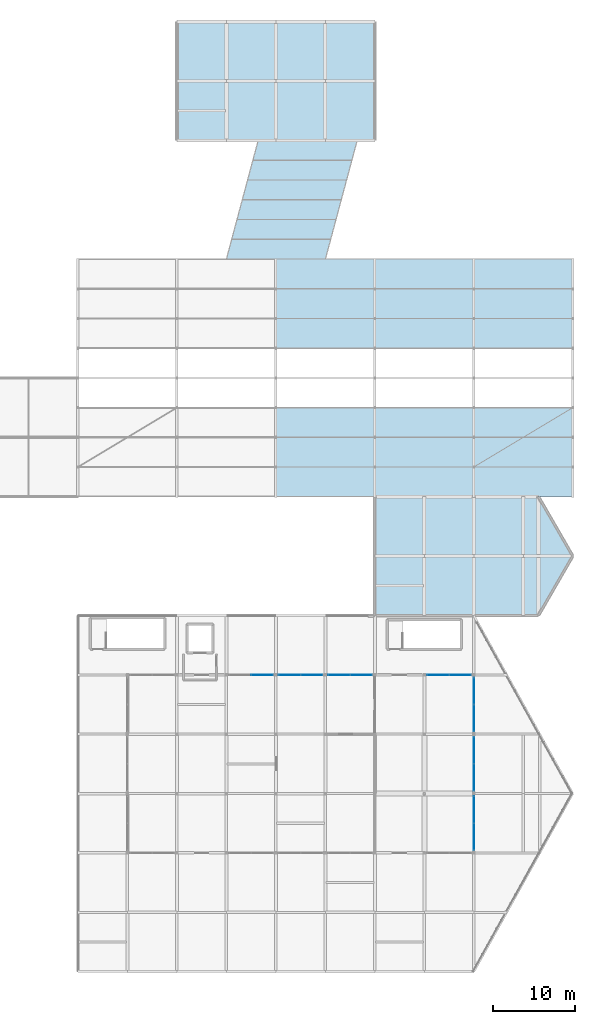
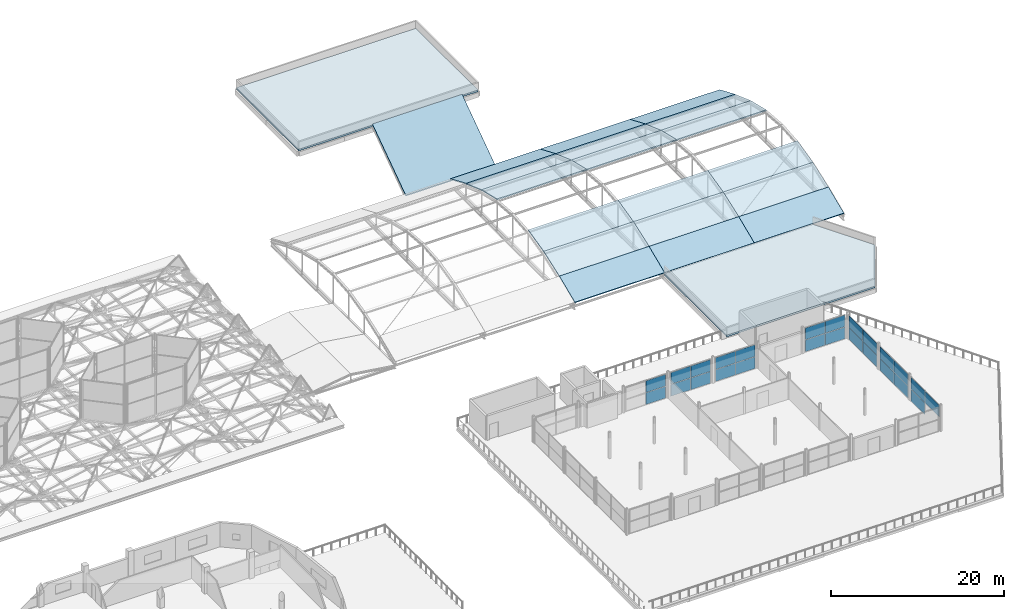
# One storey, part 217 of 239: 25 plates, 21 slabs, 7 elements without a shape of their own.
"""IFC4 building model written with IfcOpenShell, lengths in metres."""

from ifc_helpers import new_model, si_unit, direction, frame, origin, origin_2d, place, context, subcontext, project, spatial, polyline, rectangle, outline, extrude, material, layer, layer_set, type_object, element, aggregate, save


model = new_model("IFC4")

# Units and contexts
model_context = context("Model", 3, precision=1e-05, world=origin(), true_north=direction((0.0, 1.0)))
body_context = subcontext(model_context, "Body", "Model", "MODEL_VIEW")
ifc_project = project(units=[si_unit("LENGTHUNIT", "METRE"), si_unit("AREAUNIT", "SQUARE_METRE"), si_unit("VOLUMEUNIT", "CUBIC_METRE"), si_unit("PLANEANGLEUNIT", "RADIAN"), si_unit("MASSUNIT", "GRAM", prefix="KILO")], contexts=[model_context])

# Site, building, storey
site_placement = place(None, origin())
site = spatial("IfcSite", under=ifc_project, at=site_placement, CompositionType="ELEMENT")
building_placement = place(site_placement, origin())
building = spatial("IfcBuilding", under=site, at=building_placement, Name="Dunvalen Ferry Terminal", CompositionType="ELEMENT")
storey_placement = place(building_placement, frame((0.0, 0.0, 9.840087890625)))
storey = spatial("IfcBuildingStorey", under=building, at=storey_placement, Name="L02", CompositionType="ELEMENT", Elevation=9.840087890625)

# Curtain wall, plates
ifc_material_1 = material(Name="Anodised marine aluminium and solar-control glazing", Category="aluminium")
ifc_layer_1 = layer(ifc_material_1, 0.159912109375, Name="Anodised marine aluminium and solar-control glazing")
ifc_layer_set_1 = layer_set([ifc_layer_1], Name="Anodised marine aluminium and solar-control glazing")
curtain_wall_type_1 = type_object("IfcCurtainWallType", Name="ENV-CW-SYS-09", PredefinedType="NOTDEFINED", material=ifc_layer_set_1)
curtain_wall_1_placement = place(storey_placement, origin())
curtain_wall_1 = element("IfcCurtainWall", 1, at=curtain_wall_1_placement, inside=storey, type_object=curtain_wall_type_1, Name="L02 Curtain Wall CW-PAV-N-3", PredefinedType="NOTDEFINED")
ifc_material_2 = material(Name="Low-E solar-control laminated double glazing", Category="glass")
ifc_layer_2 = layer(ifc_material_2, 0.048095703125, Name="Low-E solar-control laminated double glazing")
ifc_layer_set_2 = layer_set([ifc_layer_2], Name="Low-E solar-control laminated double glazing")
plate_type = type_object("IfcPlateType", Name="ENV-CW-PNL-6", PredefinedType="CURTAIN_PANEL", material=ifc_layer_set_2)
plate_1_placement = place(storey_placement, frame((130.336181640625, 36.0, 0.054931640625), z_axis=(0.0, 0.0, 1.0), x_axis=(1.0, 0.0, 0.0)))
plate_1 = element("IfcPlate", 2, at=plate_1_placement, type_object=plate_type, Name="CW-09 panel 2.1", PredefinedType="CURTAIN_PANEL", context=body_context, shape_type="SweptSolid", body=[
    extrude(rectangle(XDim=2.617431640625, YDim=0.048095703125, at=origin_2d()), origin(), (0.0, 0.0, 1.0), 1.6474609375),
])
plate_2_placement = place(storey_placement, frame((130.336181640625, 36.0, 1.75732421875), z_axis=(0.0, 0.0, 1.0), x_axis=(1.0, 0.0, 0.0)))
plate_2 = element("IfcPlate", 3, at=plate_2_placement, type_object=plate_type, Name="CW-09 panel 2.2", PredefinedType="CURTAIN_PANEL", context=body_context, shape_type="SweptSolid", body=[
    extrude(rectangle(XDim=2.617431640625, YDim=0.048095703125, at=origin_2d()), origin(), (0.0, 0.0, 1.0), 1.6474609375),
])
aggregate(curtain_wall_1, [plate_1, plate_2])

curtain_wall_2_placement = place(storey_placement, origin())
curtain_wall_2 = element("IfcCurtainWall", 4, at=curtain_wall_2_placement, inside=storey, type_object=curtain_wall_type_1, Name="L02 Curtain Wall CW-PAV-N-4", PredefinedType="NOTDEFINED")
plate_3_placement = place(storey_placement, frame((133.663818359375, 36.0, 0.054931640625), z_axis=(0.0, 0.0, 1.0), x_axis=(1.0, 0.0, 0.0)))
plate_3 = element("IfcPlate", 5, at=plate_3_placement, type_object=plate_type, Name="CW-09 panel 1.1", PredefinedType="CURTAIN_PANEL", context=body_context, shape_type="SweptSolid", body=[
    extrude(rectangle(XDim=2.617431640625, YDim=0.048095703125, at=origin_2d()), origin(), (0.0, 0.0, 1.0), 1.6474609375),
])
plate_4_placement = place(storey_placement, frame((133.663818359375, 36.0, 1.75732421875), z_axis=(0.0, 0.0, 1.0), x_axis=(1.0, 0.0, 0.0)))
plate_4 = element("IfcPlate", 6, at=plate_4_placement, type_object=plate_type, Name="CW-09 panel 1.2", PredefinedType="CURTAIN_PANEL", context=body_context, shape_type="SweptSolid", body=[
    extrude(rectangle(XDim=2.617431640625, YDim=0.048095703125, at=origin_2d()), origin(), (0.0, 0.0, 1.0), 1.6474609375),
])
plate_5_placement = place(storey_placement, frame((136.336181640625, 36.0, 0.054931640625), z_axis=(0.0, 0.0, 1.0), x_axis=(1.0, 0.0, 0.0)))
plate_5 = element("IfcPlate", 7, at=plate_5_placement, type_object=plate_type, Name="CW-09 panel 2.1", PredefinedType="CURTAIN_PANEL", context=body_context, shape_type="SweptSolid", body=[
    extrude(rectangle(XDim=2.617431640625, YDim=0.048095703125, at=origin_2d()), origin(), (0.0, 0.0, 1.0), 1.6474609375),
])
plate_6_placement = place(storey_placement, frame((136.336181640625, 36.0, 1.75732421875), z_axis=(0.0, 0.0, 1.0), x_axis=(1.0, 0.0, 0.0)))
plate_6 = element("IfcPlate", 8, at=plate_6_placement, type_object=plate_type, Name="CW-09 panel 2.2", PredefinedType="CURTAIN_PANEL", context=body_context, shape_type="SweptSolid", body=[
    extrude(rectangle(XDim=2.617431640625, YDim=0.048095703125, at=origin_2d()), origin(), (0.0, 0.0, 1.0), 1.6474609375),
])
aggregate(curtain_wall_2, [plate_3, plate_4, plate_5, plate_6])

curtain_wall_3_placement = place(storey_placement, origin())
curtain_wall_3 = element("IfcCurtainWall", 9, at=curtain_wall_3_placement, inside=storey, type_object=curtain_wall_type_1, Name="L02 Curtain Wall CW-PAV-N-5", PredefinedType="NOTDEFINED")
plate_7_placement = place(storey_placement, frame((139.663818359375, 36.0, 0.054931640625), z_axis=(0.0, 0.0, 1.0), x_axis=(1.0, 0.0, 0.0)))
plate_7 = element("IfcPlate", 10, at=plate_7_placement, type_object=plate_type, Name="CW-09 panel 1.1", PredefinedType="CURTAIN_PANEL", context=body_context, shape_type="SweptSolid", body=[
    extrude(rectangle(XDim=2.617431640625, YDim=0.048095703125, at=origin_2d()), origin(), (0.0, 0.0, 1.0), 1.6474609375),
])
plate_8_placement = place(storey_placement, frame((139.663818359375, 36.0, 1.75732421875), z_axis=(0.0, 0.0, 1.0), x_axis=(1.0, 0.0, 0.0)))
plate_8 = element("IfcPlate", 11, at=plate_8_placement, type_object=plate_type, Name="CW-09 panel 1.2", PredefinedType="CURTAIN_PANEL", context=body_context, shape_type="SweptSolid", body=[
    extrude(rectangle(XDim=2.617431640625, YDim=0.048095703125, at=origin_2d()), origin(), (0.0, 0.0, 1.0), 1.6474609375),
])
plate_9_placement = place(storey_placement, frame((142.336181640625, 36.0, 0.054931640625), z_axis=(0.0, 0.0, 1.0), x_axis=(1.0, 0.0, 0.0)))
plate_9 = element("IfcPlate", 12, at=plate_9_placement, type_object=plate_type, Name="CW-09 panel 2.1", PredefinedType="CURTAIN_PANEL", context=body_context, shape_type="SweptSolid", body=[
    extrude(rectangle(XDim=2.617431640625, YDim=0.048095703125, at=origin_2d()), origin(), (0.0, 0.0, 1.0), 1.6474609375),
])
plate_10_placement = place(storey_placement, frame((142.336181640625, 36.0, 1.75732421875), z_axis=(0.0, 0.0, 1.0), x_axis=(1.0, 0.0, 0.0)))
plate_10 = element("IfcPlate", 13, at=plate_10_placement, type_object=plate_type, Name="CW-09 panel 2.2", PredefinedType="CURTAIN_PANEL", context=body_context, shape_type="SweptSolid", body=[
    extrude(rectangle(XDim=2.617431640625, YDim=0.048095703125, at=origin_2d()), origin(), (0.0, 0.0, 1.0), 1.6474609375),
])
aggregate(curtain_wall_3, [plate_7, plate_8, plate_9, plate_10])

curtain_wall_4_placement = place(storey_placement, origin())
curtain_wall_4 = element("IfcCurtainWall", 14, at=curtain_wall_4_placement, inside=storey, type_object=curtain_wall_type_1, Name="L02 Curtain Wall CW-PAV-N-7", PredefinedType="NOTDEFINED")
plate_11_placement = place(storey_placement, frame((151.663818359375, 36.0, 0.054931640625), z_axis=(0.0, 0.0, 1.0), x_axis=(1.0, 0.0, 0.0)))
plate_11 = element("IfcPlate", 15, at=plate_11_placement, type_object=plate_type, Name="CW-09 panel 1.1", PredefinedType="CURTAIN_PANEL", context=body_context, shape_type="SweptSolid", body=[
    extrude(rectangle(XDim=2.617431640625, YDim=0.048095703125, at=origin_2d()), origin(), (0.0, 0.0, 1.0), 1.6474609375),
])
plate_12_placement = place(storey_placement, frame((151.663818359375, 36.0, 1.75732421875), z_axis=(0.0, 0.0, 1.0), x_axis=(1.0, 0.0, 0.0)))
plate_12 = element("IfcPlate", 16, at=plate_12_placement, type_object=plate_type, Name="CW-09 panel 1.2", PredefinedType="CURTAIN_PANEL", context=body_context, shape_type="SweptSolid", body=[
    extrude(rectangle(XDim=2.617431640625, YDim=0.048095703125, at=origin_2d()), origin(), (0.0, 0.0, 1.0), 1.6474609375),
])
plate_13_placement = place(storey_placement, frame((154.336181640625, 36.0, 0.054931640625), z_axis=(0.0, 0.0, 1.0), x_axis=(1.0, 0.0, 0.0)))
plate_13 = element("IfcPlate", 17, at=plate_13_placement, type_object=plate_type, Name="CW-09 panel 2.1", PredefinedType="CURTAIN_PANEL", context=body_context, shape_type="SweptSolid", body=[
    extrude(rectangle(XDim=2.617431640625, YDim=0.048095703125, at=origin_2d()), origin(), (0.0, 0.0, 1.0), 1.6474609375),
])
plate_14_placement = place(storey_placement, frame((154.336181640625, 36.0, 1.75732421875), z_axis=(0.0, 0.0, 1.0), x_axis=(1.0, 0.0, 0.0)))
plate_14 = element("IfcPlate", 18, at=plate_14_placement, type_object=plate_type, Name="CW-09 panel 2.2", PredefinedType="CURTAIN_PANEL", context=body_context, shape_type="SweptSolid", body=[
    extrude(rectangle(XDim=2.617431640625, YDim=0.048095703125, at=origin_2d()), origin(), (0.0, 0.0, 1.0), 1.6474609375),
])
aggregate(curtain_wall_4, [plate_11, plate_12, plate_13, plate_14])

ifc_layer_3 = layer(ifc_material_1, 0.159912109375, Name="Anodised marine aluminium and solar-control glazing")
ifc_layer_set_3 = layer_set([ifc_layer_3], Name="Anodised marine aluminium and solar-control glazing")
curtain_wall_type_2 = type_object("IfcCurtainWallType", Name="ENV-CW-SYS-10", PredefinedType="NOTDEFINED", material=ifc_layer_set_3)
curtain_wall_5_placement = place(storey_placement, origin())
curtain_wall_5 = element("IfcCurtainWall", 19, at=curtain_wall_5_placement, inside=storey, type_object=curtain_wall_type_2, Name="L02 Curtain Wall CW-PAV-E-1", PredefinedType="NOTDEFINED")
plate_15_placement = place(storey_placement, frame((156.0, 16.36376953125, 1.75732421875), z_axis=(0.0, 0.0, 1.0), x_axis=(0.0, 1.0, 0.0)))
plate_15 = element("IfcPlate", 20, at=plate_15_placement, type_object=plate_type, Name="CW-10 panel 1.2", PredefinedType="CURTAIN_PANEL", context=body_context, shape_type="SweptSolid", body=[
    extrude(rectangle(XDim=3.217529296875, YDim=0.048095703125, at=origin_2d()), origin(), (0.0, 0.0, 1.0), 1.6474609375),
])
plate_16_placement = place(storey_placement, frame((156.0, 19.63623046875, 0.054931640625), z_axis=(0.0, 0.0, 1.0), x_axis=(0.0, 1.0, 0.0)))
plate_16 = element("IfcPlate", 21, at=plate_16_placement, type_object=plate_type, Name="CW-10 panel 2.1", PredefinedType="CURTAIN_PANEL", context=body_context, shape_type="SweptSolid", body=[
    extrude(rectangle(XDim=3.217529296875, YDim=0.048095703125, at=origin_2d()), origin(), (0.0, 0.0, 1.0), 1.6474609375),
])
plate_17_placement = place(storey_placement, frame((156.0, 19.63623046875, 1.75732421875), z_axis=(0.0, 0.0, 1.0), x_axis=(0.0, 1.0, 0.0)))
plate_17 = element("IfcPlate", 22, at=plate_17_placement, type_object=plate_type, Name="CW-10 panel 2.2", PredefinedType="CURTAIN_PANEL", context=body_context, shape_type="SweptSolid", body=[
    extrude(rectangle(XDim=3.217529296875, YDim=0.048095703125, at=origin_2d()), origin(), (0.0, 0.0, 1.0), 1.6474609375),
])
aggregate(curtain_wall_5, [plate_15, plate_16, plate_17])

curtain_wall_6_placement = place(storey_placement, origin())
curtain_wall_6 = element("IfcCurtainWall", 23, at=curtain_wall_6_placement, inside=storey, type_object=curtain_wall_type_2, Name="L02 Curtain Wall CW-PAV-E-2", PredefinedType="NOTDEFINED")
plate_18_placement = place(storey_placement, frame((156.0, 23.563720703125, 0.054931640625), z_axis=(0.0, 0.0, 1.0), x_axis=(0.0, 1.0, 0.0)))
plate_18 = element("IfcPlate", 24, at=plate_18_placement, type_object=plate_type, Name="CW-10 panel 1.1", PredefinedType="CURTAIN_PANEL", context=body_context, shape_type="SweptSolid", body=[
    extrude(rectangle(XDim=3.217529296875, YDim=0.048095703125, at=origin_2d()), origin(), (0.0, 0.0, 1.0), 1.6474609375),
])
plate_19_placement = place(storey_placement, frame((156.0, 23.563720703125, 1.75732421875), z_axis=(0.0, 0.0, 1.0), x_axis=(0.0, 1.0, 0.0)))
plate_19 = element("IfcPlate", 25, at=plate_19_placement, type_object=plate_type, Name="CW-10 panel 1.2", PredefinedType="CURTAIN_PANEL", context=body_context, shape_type="SweptSolid", body=[
    extrude(rectangle(XDim=3.217529296875, YDim=0.048095703125, at=origin_2d()), origin(), (0.0, 0.0, 1.0), 1.6474609375),
])
plate_20_placement = place(storey_placement, frame((156.0, 26.836181640625, 0.054931640625), z_axis=(0.0, 0.0, 1.0), x_axis=(0.0, 1.0, 0.0)))
plate_20 = element("IfcPlate", 26, at=plate_20_placement, type_object=plate_type, Name="CW-10 panel 2.1", PredefinedType="CURTAIN_PANEL", context=body_context, shape_type="SweptSolid", body=[
    extrude(rectangle(XDim=3.217529296875, YDim=0.048095703125, at=origin_2d()), origin(), (0.0, 0.0, 1.0), 1.6474609375),
])
plate_21_placement = place(storey_placement, frame((156.0, 26.836181640625, 1.75732421875), z_axis=(0.0, 0.0, 1.0), x_axis=(0.0, 1.0, 0.0)))
plate_21 = element("IfcPlate", 27, at=plate_21_placement, type_object=plate_type, Name="CW-10 panel 2.2", PredefinedType="CURTAIN_PANEL", context=body_context, shape_type="SweptSolid", body=[
    extrude(rectangle(XDim=3.217529296875, YDim=0.048095703125, at=origin_2d()), origin(), (0.0, 0.0, 1.0), 1.6474609375),
])
aggregate(curtain_wall_6, [plate_18, plate_19, plate_20, plate_21])

curtain_wall_7_placement = place(storey_placement, origin())
curtain_wall_7 = element("IfcCurtainWall", 28, at=curtain_wall_7_placement, inside=storey, type_object=curtain_wall_type_2, Name="L02 Curtain Wall CW-PAV-E-3", PredefinedType="NOTDEFINED")
plate_22_placement = place(storey_placement, frame((156.0, 30.763671875, 0.054931640625), z_axis=(0.0, 0.0, 1.0), x_axis=(0.0, 1.0, 0.0)))
plate_22 = element("IfcPlate", 29, at=plate_22_placement, type_object=plate_type, Name="CW-10 panel 1.1", PredefinedType="CURTAIN_PANEL", context=body_context, shape_type="SweptSolid", body=[
    extrude(rectangle(XDim=3.217529296875, YDim=0.048095703125, at=origin_2d()), origin(), (0.0, 0.0, 1.0), 1.6474609375),
])
plate_23_placement = place(storey_placement, frame((156.0, 30.763671875, 1.75732421875), z_axis=(0.0, 0.0, 1.0), x_axis=(0.0, 1.0, 0.0)))
plate_23 = element("IfcPlate", 30, at=plate_23_placement, type_object=plate_type, Name="CW-10 panel 1.2", PredefinedType="CURTAIN_PANEL", context=body_context, shape_type="SweptSolid", body=[
    extrude(rectangle(XDim=3.217529296875, YDim=0.048095703125, at=origin_2d()), origin(), (0.0, 0.0, 1.0), 1.6474609375),
])
plate_24_placement = place(storey_placement, frame((156.0, 34.0361328125, 0.054931640625), z_axis=(0.0, 0.0, 1.0), x_axis=(0.0, 1.0, 0.0)))
plate_24 = element("IfcPlate", 31, at=plate_24_placement, type_object=plate_type, Name="CW-10 panel 2.1", PredefinedType="CURTAIN_PANEL", context=body_context, shape_type="SweptSolid", body=[
    extrude(rectangle(XDim=3.217529296875, YDim=0.048095703125, at=origin_2d()), origin(), (0.0, 0.0, 1.0), 1.6474609375),
])
plate_25_placement = place(storey_placement, frame((156.0, 34.0361328125, 1.75732421875), z_axis=(0.0, 0.0, 1.0), x_axis=(0.0, 1.0, 0.0)))
plate_25 = element("IfcPlate", 32, at=plate_25_placement, type_object=plate_type, Name="CW-10 panel 2.2", PredefinedType="CURTAIN_PANEL", context=body_context, shape_type="SweptSolid", body=[
    extrude(rectangle(XDim=3.217529296875, YDim=0.048095703125, at=origin_2d()), origin(), (0.0, 0.0, 1.0), 1.6474609375),
])
aggregate(curtain_wall_7, [plate_22, plate_23, plate_24, plate_25])

# Slabs
ifc_material_3 = material(Name="Precast concrete C40/50", Category="concrete")
ifc_layer_4 = layer(ifc_material_3, 0.14990234375, Name="Precast concrete C40/50")
ifc_layer_set_4 = layer_set([ifc_layer_4], Name="Precast concrete C40/50")
slab_type_1 = type_object("IfcSlabType", Name="STR-ROOF-VAULT", PredefinedType="ROOF", material=ifc_layer_set_4)
slab_1_placement = place(storey_placement, frame((132.0, 57.60009765625, 0.375), z_axis=(0.0, -0.391266189299, 0.920277550042), x_axis=(1.0, 0.0, 0.0)))
element("IfcSlab", 33, at=slab_1_placement, inside=storey, type_object=slab_type_1, Name="Arrivals Hall Barrel-Vault Roof Facet 3.1", PredefinedType="ROOF", context=body_context, shape_type="SweptSolid", body=[
    extrude(outline(polyline([(0.0, 0.0), (12.0, 0.0), (12.0, 3.9117041543178197), (0.0, 3.9117041543178197), (0.0, 0.0)])), origin(), (0.0, 0.0, -1.0), 0.14990234375),
])
slab_2_placement = place(storey_placement, frame((132.0, 61.199951171875, 1.905517578125), z_axis=(0.0, -0.33913962072, 0.940736051004), x_axis=(1.0, 0.0, 0.0)))
element("IfcSlab", 34, at=slab_2_placement, inside=storey, type_object=slab_type_1, Name="Arrivals Hall Barrel-Vault Roof Facet 3.2", PredefinedType="ROOF", context=body_context, shape_type="SweptSolid", body=[
    extrude(outline(polyline([(0.0, 0.0), (12.0, 0.0), (12.0, 3.826894539025139), (0.0, 3.826894539025139), (0.0, 0.0)])), origin(), (0.0, 0.0, -1.0), 0.14990234375),
])
for number, where, z_axis, x_axis, name in (
    (35, (132.0, 64.800048828125, 3.203369140625), (0.0, -0.234133472154, 0.972204462661), (1.0, 0.0, 0.0), "Arrivals Hall Barrel-Vault Roof Facet 3.3"),
    (36, (132.0, 75.60009765625, 4.0703125), (0.0, 0.234133472154, 0.972204462661), (1.0, 0.0, 0.0), "Arrivals Hall Barrel-Vault Roof Facet 3.6"),
):
    element("IfcSlab", number, at=place(storey_placement, frame(where, z_axis=z_axis, x_axis=x_axis)), inside=storey, type_object=slab_type_1, Name=name, PredefinedType="ROOF", context=body_context, shape_type="SweptSolid", body=[
        extrude(outline(polyline([(0.0, 0.0), (12.0, 0.0), (12.0, 3.70277411170626), (0.0, 3.70277411170626), (0.0, 0.0)])), origin(), (0.0, 0.0, -1.0), 0.14990234375),
    ])
slab_3_placement = place(storey_placement, frame((132.0, 79.199951171875, 3.203369140625), z_axis=(0.0, 0.33913962072, 0.940736051004), x_axis=(1.0, 0.0, 0.0)))
element("IfcSlab", 37, at=slab_3_placement, inside=storey, type_object=slab_type_1, Name="Arrivals Hall Barrel-Vault Roof Facet 3.7", PredefinedType="ROOF", context=body_context, shape_type="SweptSolid", body=[
    extrude(outline(polyline([(0.0, 0.0), (12.0, 0.0), (12.0, 3.826894539025139), (0.0, 3.826894539025139), (0.0, 0.0)])), origin(), (0.0, 0.0, -1.0), 0.14990234375),
])
for number, where, z_axis, x_axis, name in (
    (38, (132.0, 82.800048828125, 1.905517578125), (0.0, 0.391266189299, 0.920277550042), (1.0, 0.0, 0.0), "Arrivals Hall Barrel-Vault Roof Facet 3.8"),
    (39, (144.0, 57.60009765625, 0.375), (0.0, -0.391266189299, 0.920277550042), (1.0, 0.0, 0.0), "Arrivals Hall Barrel-Vault Roof Facet 4.1"),
):
    element("IfcSlab", number, at=place(storey_placement, frame(where, z_axis=z_axis, x_axis=x_axis)), inside=storey, type_object=slab_type_1, Name=name, PredefinedType="ROOF", context=body_context, shape_type="SweptSolid", body=[
        extrude(outline(polyline([(0.0, 0.0), (12.0, 0.0), (12.0, 3.9117041543178197), (0.0, 3.9117041543178197), (0.0, 0.0)])), origin(), (0.0, 0.0, -1.0), 0.14990234375),
    ])
slab_4_placement = place(storey_placement, frame((144.0, 61.199951171875, 1.905517578125), z_axis=(0.0, -0.33913962072, 0.940736051004), x_axis=(1.0, 0.0, 0.0)))
element("IfcSlab", 40, at=slab_4_placement, inside=storey, type_object=slab_type_1, Name="Arrivals Hall Barrel-Vault Roof Facet 4.2", PredefinedType="ROOF", context=body_context, shape_type="SweptSolid", body=[
    extrude(outline(polyline([(0.0, 0.0), (12.0, 0.0), (12.0, 3.826894539025139), (0.0, 3.826894539025139), (0.0, 0.0)])), origin(), (0.0, 0.0, -1.0), 0.14990234375),
])
for number, where, z_axis, x_axis, name in (
    (41, (144.0, 64.800048828125, 3.203369140625), (0.0, -0.234133472154, 0.972204462661), (1.0, 0.0, 0.0), "Arrivals Hall Barrel-Vault Roof Facet 4.3"),
    (42, (144.0, 75.60009765625, 4.0703125), (0.0, 0.234133472154, 0.972204462661), (1.0, 0.0, 0.0), "Arrivals Hall Barrel-Vault Roof Facet 4.6"),
):
    element("IfcSlab", number, at=place(storey_placement, frame(where, z_axis=z_axis, x_axis=x_axis)), inside=storey, type_object=slab_type_1, Name=name, PredefinedType="ROOF", context=body_context, shape_type="SweptSolid", body=[
        extrude(outline(polyline([(0.0, 0.0), (12.0, 0.0), (12.0, 3.70277411170626), (0.0, 3.70277411170626), (0.0, 0.0)])), origin(), (0.0, 0.0, -1.0), 0.14990234375),
    ])
slab_5_placement = place(storey_placement, frame((144.0, 79.199951171875, 3.203369140625), z_axis=(0.0, 0.33913962072, 0.940736051004), x_axis=(1.0, 0.0, 0.0)))
element("IfcSlab", 43, at=slab_5_placement, inside=storey, type_object=slab_type_1, Name="Arrivals Hall Barrel-Vault Roof Facet 4.7", PredefinedType="ROOF", context=body_context, shape_type="SweptSolid", body=[
    extrude(outline(polyline([(0.0, 0.0), (12.0, 0.0), (12.0, 3.826894539025139), (0.0, 3.826894539025139), (0.0, 0.0)])), origin(), (0.0, 0.0, -1.0), 0.14990234375),
])
for number, where, z_axis, x_axis, name in (
    (44, (144.0, 82.800048828125, 1.905517578125), (0.0, 0.391266189299, 0.920277550042), (1.0, 0.0, 0.0), "Arrivals Hall Barrel-Vault Roof Facet 4.8"),
    (45, (156.0, 57.60009765625, 0.375), (0.0, -0.391266189299, 0.920277550042), (1.0, 0.0, 0.0), "Arrivals Hall Barrel-Vault Roof Facet 5.1"),
):
    element("IfcSlab", number, at=place(storey_placement, frame(where, z_axis=z_axis, x_axis=x_axis)), inside=storey, type_object=slab_type_1, Name=name, PredefinedType="ROOF", context=body_context, shape_type="SweptSolid", body=[
        extrude(outline(polyline([(0.0, 0.0), (12.0, 0.0), (12.0, 3.9117041543178197), (0.0, 3.9117041543178197), (0.0, 0.0)])), origin(), (0.0, 0.0, -1.0), 0.14990234375),
    ])
slab_6_placement = place(storey_placement, frame((156.0, 61.199951171875, 1.905517578125), z_axis=(0.0, -0.33913962072, 0.940736051004), x_axis=(1.0, 0.0, 0.0)))
element("IfcSlab", 46, at=slab_6_placement, inside=storey, type_object=slab_type_1, Name="Arrivals Hall Barrel-Vault Roof Facet 5.2", PredefinedType="ROOF", context=body_context, shape_type="SweptSolid", body=[
    extrude(outline(polyline([(0.0, 0.0), (12.0, 0.0), (12.0, 3.826894539025139), (0.0, 3.826894539025139), (0.0, 0.0)])), origin(), (0.0, 0.0, -1.0), 0.14990234375),
])
for number, where, z_axis, x_axis, name in (
    (47, (156.0, 64.800048828125, 3.203369140625), (0.0, -0.234133472154, 0.972204462661), (1.0, 0.0, 0.0), "Arrivals Hall Barrel-Vault Roof Facet 5.3"),
    (48, (156.0, 75.60009765625, 4.0703125), (0.0, 0.234133472154, 0.972204462661), (1.0, 0.0, 0.0), "Arrivals Hall Barrel-Vault Roof Facet 5.6"),
):
    element("IfcSlab", number, at=place(storey_placement, frame(where, z_axis=z_axis, x_axis=x_axis)), inside=storey, type_object=slab_type_1, Name=name, PredefinedType="ROOF", context=body_context, shape_type="SweptSolid", body=[
        extrude(outline(polyline([(0.0, 0.0), (12.0, 0.0), (12.0, 3.70277411170626), (0.0, 3.70277411170626), (0.0, 0.0)])), origin(), (0.0, 0.0, -1.0), 0.14990234375),
    ])
slab_7_placement = place(storey_placement, frame((156.0, 79.199951171875, 3.203369140625), z_axis=(0.0, 0.33913962072, 0.940736051004), x_axis=(1.0, 0.0, 0.0)))
element("IfcSlab", 49, at=slab_7_placement, inside=storey, type_object=slab_type_1, Name="Arrivals Hall Barrel-Vault Roof Facet 5.7", PredefinedType="ROOF", context=body_context, shape_type="SweptSolid", body=[
    extrude(outline(polyline([(0.0, 0.0), (12.0, 0.0), (12.0, 3.826894539025139), (0.0, 3.826894539025139), (0.0, 0.0)])), origin(), (0.0, 0.0, -1.0), 0.14990234375),
])
slab_8_placement = place(storey_placement, frame((156.0, 82.800048828125, 1.905517578125), z_axis=(0.0, 0.391266189299, 0.920277550042), x_axis=(1.0, 0.0, 0.0)))
element("IfcSlab", 50, at=slab_8_placement, inside=storey, type_object=slab_type_1, Name="Arrivals Hall Barrel-Vault Roof Facet 5.8", PredefinedType="ROOF", context=body_context, shape_type="SweptSolid", body=[
    extrude(outline(polyline([(0.0, 0.0), (12.0, 0.0), (12.0, 3.9117041543178197), (0.0, 3.9117041543178197), (0.0, 0.0)])), origin(), (0.0, 0.0, -1.0), 0.14990234375),
])
slab_9_placement = place(storey_placement, origin())
element("IfcSlab", 51, at=slab_9_placement, inside=storey, type_object=slab_type_1, Name="L02 Splayed Passenger Boarding Bridge 2 Roof Slab", PredefinedType="ROOF", context=body_context, shape_type="SweptSolid", body=[
    extrude(outline(polyline([(126.0, 86.39990234375), (138.0, 86.39990234375), (141.8583984375, 100.800048828125), (129.8583984375, 100.800048828125), (126.0, 86.39990234375)])), origin(), (0.0, 0.0, 1.0), 0.14990234375),
])
ifc_material_4 = material(Name="Concrete C40/50", Category="concrete")
ifc_layer_5 = layer(ifc_material_4, 0.239990234375, Name="Concrete C40/50")
ifc_layer_set_5 = layer_set([ifc_layer_5], Name="Concrete C40/50")
slab_type_2 = type_object("IfcSlabType", Name="STR-SLB-RF240", PredefinedType="ROOF", material=ifc_layer_set_5)
slab_10_placement = place(storey_placement, origin())
element("IfcSlab", 52, at=slab_10_placement, inside=storey, type_object=slab_type_2, Name="L02 Customs Annex Roof Slab", PredefinedType="ROOF", context=body_context, shape_type="SweptSolid", body=[
    extrude(outline(polyline([(144.0, 43.199951171875), (163.843017578125, 43.199951171875), (168.0, 50.39990234375), (163.843017578125, 57.60009765625), (144.0, 57.60009765625), (144.0, 43.199951171875)])), origin(), (0.0, 0.0, 1.0), 0.239990234375),
])
slab_11_placement = place(storey_placement, frame((0.0, 0.0, -0.239990234375)))
element("IfcSlab", 53, at=slab_11_placement, inside=storey, type_object=slab_type_2, Name="L02 Berth Pavilion 2 Roof Slab", PredefinedType="ROOF", context=body_context, shape_type="SweptSolid", body=[
    extrude(outline(polyline([(120.0, 100.800048828125), (144.0, 100.800048828125), (144.0, 115.199951171875), (120.0, 115.199951171875), (120.0, 100.800048828125)])), origin(), (0.0, 0.0, 1.0), 0.239990234375),
])

save(model, "model.ifc")
